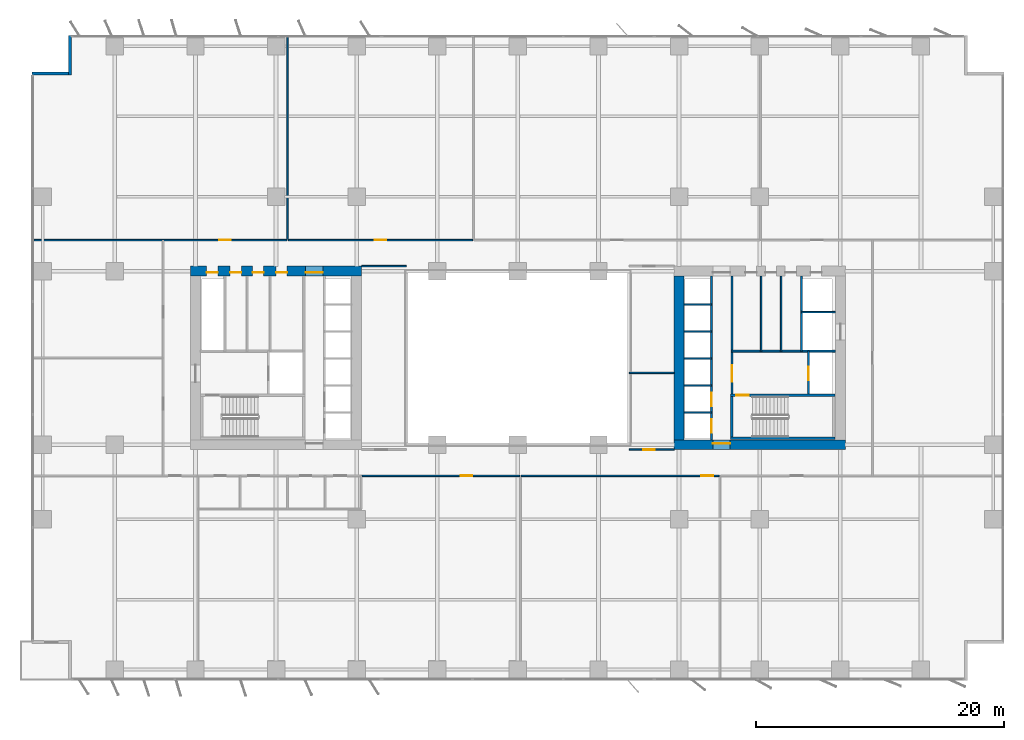
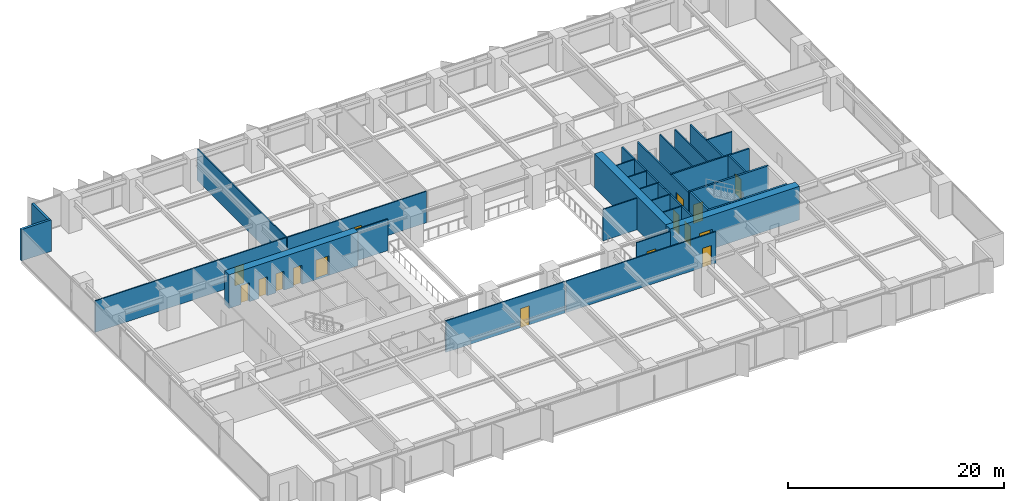
# One storey, part 14 of 21: 29 walls, 16 doors, 16 openings.
"""IFC4 building model written with IfcOpenShell, lengths in metres."""

from ifc_helpers import new_model, si_unit, direction, frame, frame_2d, origin, place, context, subcontext, project, spatial, rectangle, extrude, material, layer, layer_set, type_object, element, fill, save


model = new_model("IFC4")

# Units and contexts
model_context = context("Model", 3, precision=1e-05, world=origin(), true_north=direction((0.0, 1.0)))
body_context = subcontext(model_context, "Body", "Model", "MODEL_VIEW")
ifc_project = project(units=[si_unit("LENGTHUNIT", "METRE"), si_unit("AREAUNIT", "SQUARE_METRE"), si_unit("VOLUMEUNIT", "CUBIC_METRE"), si_unit("PLANEANGLEUNIT", "RADIAN"), si_unit("MASSUNIT", "GRAM", prefix="KILO")], contexts=[model_context])

# Site, building, storey
site_placement = place(None, origin())
site = spatial("IfcSite", under=ifc_project, at=site_placement, CompositionType="ELEMENT")
building_placement = place(site_placement, origin())
building = spatial("IfcBuilding", under=site, at=building_placement, Name="Putna Gate Headquarters", CompositionType="ELEMENT")
storey_placement = place(building_placement, frame((0.0, 0.0, 39.199951171875)))
storey = spatial("IfcBuildingStorey", under=building, at=storey_placement, Name="L08", CompositionType="ELEMENT", Elevation=39.199951171875)

# Wall, openings, doors
ifc_material_1 = material(Name="Concrete C60/75", Category="concrete")
ifc_layer_1 = layer(ifc_material_1, 0.800048828125)
ifc_layer_set_1 = layer_set([ifc_layer_1], Name="Concrete C60/75")
wall_type_1 = type_object("IfcWallType", Name="WALL-CORE-800", PredefinedType="SHEAR", material=ifc_layer_set_1)
wall_1_placement = place(storey_placement, frame((12.60009765625, 33.0, 0.0), z_axis=(0.0, 0.0, 1.0), x_axis=(1.0, 0.0, 0.0)))
wall_1 = element("IfcWall", 1, at=wall_1_placement, inside=storey, type_object=wall_type_1, Name="L08 WC Split Core Shear Wall N", PredefinedType="SHEAR", context=body_context, shape_type="SweptSolid", body=[
    extrude(rectangle(XDim=13.7998046875, YDim=0.800048828125, at=frame_2d((6.89990234375, 0.0))), origin(), (0.0, 0.0, 1.0), 3.800048828125),
])
opening_1_placement = place(wall_1_placement, frame((1.300048828125, 0.0, 0.0)))
opening_1 = element("IfcOpeningElement", 2, at=opening_1_placement, cuts=wall_1, Name="Opening RD-90", PredefinedType="OPENING", context=body_context, shape_type="SweptSolid", body=[
    extrude(rectangle(XDim=0.89990234375, YDim=2.14990234375, at=frame_2d((0.449951171875, 1.074951171875))), frame((0.0, 0.409912109375, 0.0), z_axis=(0.0, -1.0, 0.0), x_axis=(1.0, 0.0, 0.0)), (0.0, 0.0, 1.0), 0.820068359375),
])
opening_2_placement = place(wall_1_placement, frame((3.199951171875, 0.0, 0.0)))
opening_2 = element("IfcOpeningElement", 3, at=opening_2_placement, cuts=wall_1, Name="Opening IDS-90", PredefinedType="OPENING", context=body_context, shape_type="SweptSolid", body=[
    extrude(rectangle(XDim=0.89990234375, YDim=2.14990234375, at=frame_2d((0.449951171875, 1.074951171875))), frame((0.0, 0.409912109375, 0.0), z_axis=(0.0, -1.0, 0.0), x_axis=(1.0, 0.0, 0.0)), (0.0, 0.0, 1.0), 0.820068359375),
])
opening_3_placement = place(wall_1_placement, frame((5.0, 0.0, 0.0)))
opening_3 = element("IfcOpeningElement", 4, at=opening_3_placement, cuts=wall_1, Name="Opening IDS-90", PredefinedType="OPENING", context=body_context, shape_type="SweptSolid", body=[
    extrude(rectangle(XDim=0.89990234375, YDim=2.14990234375, at=frame_2d((0.449951171875, 1.074951171875))), frame((0.0, 0.409912109375, 0.0), z_axis=(0.0, -1.0, 0.0), x_axis=(1.0, 0.0, 0.0)), (0.0, 0.0, 1.0), 0.820068359375),
])
opening_4_placement = place(wall_1_placement, frame((6.89990234375, 0.0, 0.0)))
opening_4 = element("IfcOpeningElement", 5, at=opening_4_placement, cuts=wall_1, Name="Opening IDS-90", PredefinedType="OPENING", context=body_context, shape_type="SweptSolid", body=[
    extrude(rectangle(XDim=0.89990234375, YDim=2.14990234375, at=frame_2d((0.449951171875, 1.074951171875))), frame((0.0, 0.409912109375, 0.0), z_axis=(0.0, -1.0, 0.0), x_axis=(1.0, 0.0, 0.0)), (0.0, 0.0, 1.0), 0.820068359375),
])
opening_5_placement = place(wall_1_placement, frame((9.280029296875, 0.0, 0.0)))
opening_5 = element("IfcOpeningElement", 6, at=opening_5_placement, cuts=wall_1, Name="Opening FDD-140", PredefinedType="OPENING", context=body_context, shape_type="SweptSolid", body=[
    extrude(rectangle(XDim=1.39990234375, YDim=2.199951171875, at=frame_2d((0.699951171875, 1.10009765625))), frame((0.0, 0.409912109375, 0.0), z_axis=(0.0, -1.0, 0.0), x_axis=(1.0, 0.0, 0.0)), (0.0, 0.0, 1.0), 0.820068359375),
])
ifc_material_2 = material(Name="Double steel fire door", Category="steel")
door_type_1 = type_object("IfcDoorType", Name="DOOR-FIRE-DBL-1400", OperationType="DOUBLE_DOOR_SINGLE_SWING", PredefinedType="DOOR", material=ifc_material_2)
door_1_placement = place(opening_5_placement, origin())
door_1 = element("IfcDoor", 7, at=door_1_placement, inside=storey, type_object=door_type_1, Name="L08 West Lift Lobby North Door", OperationType="DOUBLE_DOOR_SINGLE_SWING", OverallHeight=2.199951171875, OverallWidth=1.39990234375, PredefinedType="DOOR", context=body_context, shape_type="SweptSolid", body=[
    extrude(rectangle(XDim=1.39990234375, YDim=2.199951171875, at=frame_2d((0.699951171875, 1.10009765625))), frame((0.0, -0.0751953125, 0.0), z_axis=(0.0, -1.0, 0.0), x_axis=(1.0, 0.0, 0.0)), (0.0, 0.0, 1.0), 0.050048828125),
])
fill(opening_5, door_1)
ifc_material_3 = material(Name="Fire-rated utility door")
door_type_2 = type_object("IfcDoorType", Name="DOOR-INT-900", OperationType="NOTDEFINED", PredefinedType="DOOR", material=ifc_material_3)
door_2_placement = place(opening_2_placement, origin())
door_2 = element("IfcDoor", 8, at=door_2_placement, inside=storey, type_object=door_type_2, Name="L08 Janitor Cupboard Door", OperationType="SINGLE_SWING_LEFT", OverallHeight=2.14990234375, OverallWidth=0.89990234375, PredefinedType="DOOR", context=body_context, shape_type="SweptSolid", body=[
    extrude(rectangle(XDim=0.89990234375, YDim=2.14990234375, at=frame_2d((0.449951171875, 1.074951171875))), frame((0.0, -0.0751953125, 0.0), z_axis=(0.0, -1.0, 0.0), x_axis=(1.0, 0.0, 0.0)), (0.0, 0.0, 1.0), 0.050048828125),
])
fill(opening_2, door_2)
door_3_placement = place(opening_3_placement, origin())
door_3 = element("IfcDoor", 9, at=door_3_placement, inside=storey, type_object=door_type_2, Name="L08 IT Patch Plant Door", OperationType="SINGLE_SWING_RIGHT", OverallHeight=2.14990234375, OverallWidth=0.89990234375, PredefinedType="DOOR", context=body_context, shape_type="SweptSolid", body=[
    extrude(rectangle(XDim=0.89990234375, YDim=2.14990234375, at=frame_2d((0.449951171875, 1.074951171875))), frame((0.0, -0.0751953125, 0.0), z_axis=(0.0, -1.0, 0.0), x_axis=(1.0, 0.0, 0.0)), (0.0, 0.0, 1.0), 0.050048828125),
])
fill(opening_3, door_3)
door_4_placement = place(opening_4_placement, origin())
door_4 = element("IfcDoor", 10, at=door_4_placement, inside=storey, type_object=door_type_2, Name="L08 Building Records Store Door", OperationType="SINGLE_SWING_LEFT", OverallHeight=2.14990234375, OverallWidth=0.89990234375, PredefinedType="DOOR", context=body_context, shape_type="SweptSolid", body=[
    extrude(rectangle(XDim=0.89990234375, YDim=2.14990234375, at=frame_2d((0.449951171875, 1.074951171875))), frame((0.0, -0.0751953125, 0.0), z_axis=(0.0, -1.0, 0.0), x_axis=(1.0, 0.0, 0.0)), (0.0, 0.0, 1.0), 0.050048828125),
])
fill(opening_4, door_4)
ifc_material_4 = material(Name="Steel riser access fire door", Category="steel")
door_type_3 = type_object("IfcDoorType", Name="DOOR-RISER-900", OperationType="NOTDEFINED", PredefinedType="DOOR", material=ifc_material_4)
door_5_placement = place(opening_1_placement, origin())
door_5 = element("IfcDoor", 11, at=door_5_placement, inside=storey, type_object=door_type_3, Name="L08 West Riser Access Door", OperationType="SINGLE_SWING_RIGHT", OverallHeight=2.14990234375, OverallWidth=0.89990234375, PredefinedType="DOOR", context=body_context, shape_type="SweptSolid", body=[
    extrude(rectangle(XDim=0.89990234375, YDim=2.14990234375, at=frame_2d((0.449951171875, 1.074951171875))), frame((0.0, -0.0751953125, 0.0), z_axis=(0.0, -1.0, 0.0), x_axis=(1.0, 0.0, 0.0)), (0.0, 0.0, 1.0), 0.050048828125),
])
fill(opening_1, door_5)

# Wall, opening, door
wall_2_placement = place(storey_placement, frame((51.60009765625, 19.0, 0.0), z_axis=(0.0, 0.0, 1.0), x_axis=(1.0, 0.0, 0.0)))
wall_2 = element("IfcWall", 12, at=wall_2_placement, inside=storey, type_object=wall_type_1, Name="L08 EC Split Core Shear Wall S", PredefinedType="SHEAR", context=body_context, shape_type="SweptSolid", body=[
    extrude(rectangle(XDim=13.7998046875, YDim=0.800048828125, at=frame_2d((6.89990234375, 0.0))), origin(), (0.0, 0.0, 1.0), 3.800048828125),
])
opening_6_placement = place(wall_2_placement, frame((3.1201171875, 0.0, 0.0)))
opening_6 = element("IfcOpeningElement", 13, at=opening_6_placement, cuts=wall_2, Name="Opening FDD-140", PredefinedType="OPENING", context=body_context, shape_type="SweptSolid", body=[
    extrude(rectangle(XDim=1.39990234375, YDim=2.199951171875, at=frame_2d((0.699951171875, 1.10009765625))), frame((0.0, 0.409912109375, 0.0), z_axis=(0.0, -1.0, 0.0), x_axis=(1.0, 0.0, 0.0)), (0.0, 0.0, 1.0), 0.820068359375),
])
door_6_placement = place(opening_6_placement, origin())
door_6 = element("IfcDoor", 14, at=door_6_placement, inside=storey, type_object=door_type_1, Name="L08 East Lift Lobby South Door", OperationType="DOUBLE_DOOR_SINGLE_SWING", OverallHeight=2.199951171875, OverallWidth=1.39990234375, PredefinedType="DOOR", context=body_context, shape_type="SweptSolid", body=[
    extrude(rectangle(XDim=1.39990234375, YDim=2.199951171875, at=frame_2d((0.699951171875, 1.10009765625))), frame((0.0, 0.125, 0.0), z_axis=(0.0, -1.0, 0.0), x_axis=(1.0, 0.0, 0.0)), (0.0, 0.0, 1.0), 0.050048828125),
])
fill(opening_6, door_6)

# Walls
wall_3_placement = place(storey_placement, frame((52.0, 19.39990234375, 0.0), z_axis=(0.0, 0.0, 1.0), x_axis=(0.0, 1.0, 0.0)))
element("IfcWall", 15, at=wall_3_placement, inside=storey, type_object=wall_type_1, Name="L08 EC Split Core Shear Wall W", PredefinedType="SHEAR", context=body_context, shape_type="SweptSolid", body=[
    extrude(rectangle(XDim=13.2001953125, YDim=0.800048828125, at=frame_2d((6.60009765625, 0.0))), origin(), (0.0, 0.0, 1.0), 3.800048828125),
])
ifc_material_5 = material(Name="Precast concrete C40/50", Category="concrete")
ifc_layer_2 = layer(ifc_material_5, 0.239990234375)
ifc_layer_set_2 = layer_set([ifc_layer_2], Name="Precast concrete C40/50")
wall_type_2 = type_object("IfcWallType", Name="WALL-EXT-TERR-240", PredefinedType="STANDARD", material=ifc_layer_set_2)
for number, where, z_axis, x_axis, name in (
    (16, (2.8798828125, 48.800048828125, 0.0), (0.0, 0.0, 1.0), (0.0, 1.0, 0.0), "L08 Corner Notch Return Wall NW-V"),
    (17, (-0.199951171875, 48.919921875, 0.0), (0.0, 0.0, 1.0), (1.0, 0.0, 0.0), "L08 Corner Notch Return Wall NW-H"),
):
    element("IfcWall", number, at=place(storey_placement, frame(where, z_axis=z_axis, x_axis=x_axis)), inside=storey, type_object=wall_type_2, Name=name, PredefinedType="STANDARD", context=body_context, shape_type="SweptSolid", body=[
        extrude(rectangle(XDim=3.199951171875, YDim=0.239990234375, at=frame_2d((1.60009765625, 0.0))), origin(), (0.0, 0.0, 1.0), 3.550048828125),
    ])
ifc_material_6 = material(Name="Acoustic gypsum board on metal stud")
ifc_layer_3 = layer(ifc_material_6, 0.1201171875)
ifc_layer_set_3 = layer_set([ifc_layer_3], Name="Acoustic gypsum board on metal stud")
wall_type_3 = type_object("IfcWallType", Name="WALL-PART-120", PredefinedType="PARTITIONING", material=ifc_layer_set_3)
for number, where, z_axis, x_axis, name in (
    (18, (26.39990234375, 33.39990234375, 0.0), (0.0, 0.0, 1.0), (1.0, 0.0, 0.0), "L08 Interior Wall PART-L08-ATR-W-N"),
    (19, (48.0, 24.800048828125, 0.0), (0.0, 0.0, 1.0), (1.0, 0.0, 0.0), "L08 Interior Wall PART-L08-ATR-E-DIV"),
):
    element("IfcWall", number, at=place(storey_placement, frame(where, z_axis=z_axis, x_axis=x_axis)), inside=storey, type_object=wall_type_3, Name=name, PredefinedType="PARTITIONING", context=body_context, shape_type="SweptSolid", body=[
        extrude(rectangle(XDim=3.60009765625, YDim=0.1201171875, at=frame_2d((1.800048828125, 0.0))), origin(), (0.0, 0.0, 1.0), 3.550048828125),
    ])

# Wall, opening, door
wall_4_placement = place(storey_placement, frame((48.0, 18.60009765625, 0.0), z_axis=(0.0, 0.0, 1.0), x_axis=(1.0, 0.0, 0.0)))
wall_4 = element("IfcWall", 20, at=wall_4_placement, inside=storey, type_object=wall_type_3, Name="L08 Interior Wall PART-L08-ATR-E-S", PredefinedType="PARTITIONING", context=body_context, shape_type="SweptSolid", body=[
    extrude(rectangle(XDim=3.60009765625, YDim=0.1201171875, at=frame_2d((1.800048828125, 0.0))), origin(), (0.0, 0.0, 1.0), 3.550048828125),
])
opening_7_placement = place(wall_4_placement, frame((1.10009765625, 0.0, 0.0)))
opening_7 = element("IfcOpeningElement", 21, at=opening_7_placement, cuts=wall_4, Name="Opening ID-95", PredefinedType="OPENING", context=body_context, shape_type="SweptSolid", body=[
    extrude(rectangle(XDim=0.949951171875, YDim=2.14990234375, at=frame_2d((0.47509765625, 1.074951171875))), frame((0.0, 0.070068359375, 0.0), z_axis=(0.0, -1.0, 0.0), x_axis=(1.0, 0.0, 0.0)), (0.0, 0.0, 1.0), 0.14013671875),
])
ifc_material_7 = material(Name="Veneered acoustic timber door", Category="wood")
door_type_4 = type_object("IfcDoorType", Name="DOOR-OFF-950", OperationType="NOTDEFINED", PredefinedType="DOOR", material=ifc_material_7)
door_7_placement = place(opening_7_placement, origin())
door_7 = element("IfcDoor", 22, at=door_7_placement, inside=storey, type_object=door_type_4, Name="L08 East Atrium South Gallery Door", OperationType="SINGLE_SWING_RIGHT", OverallHeight=2.14990234375, OverallWidth=0.949951171875, PredefinedType="DOOR", context=body_context, shape_type="SweptSolid", body=[
    extrude(rectangle(XDim=0.949951171875, YDim=2.14990234375, at=frame_2d((0.47509765625, 1.074951171875))), frame((0.0, 0.02490234375, 0.0), z_axis=(0.0, -1.0, 0.0), x_axis=(1.0, 0.0, 0.0)), (0.0, 0.0, 1.0), 0.050048828125),
])
fill(opening_7, door_7)

# Walls
wall_5_placement = place(storey_placement, frame((20.426513671875, 35.56005859375, 0.0), z_axis=(0.0, 0.0, 1.0), x_axis=(0.0, 1.0, 0.0)))
element("IfcWall", 23, at=wall_5_placement, inside=storey, type_object=wall_type_3, Name="L08 Interior Wall PART-L08-NB-DIV-01", PredefinedType="PARTITIONING", context=body_context, shape_type="SweptSolid", body=[
    extrude(rectangle(XDim=16.419921875, YDim=0.1201171875, at=frame_2d((8.2099609375, 0.0))), origin(), (0.0, 0.0, 1.0), 3.550048828125),
])
ifc_material_8 = material(Name="Fire-rated shaftwall gypsum board on metal stud")
ifc_layer_4 = layer(ifc_material_8, 0.1201171875)
ifc_layer_set_4 = layer_set([ifc_layer_4], Name="Fire-rated shaftwall gypsum board on metal stud")
wall_type_4 = type_object("IfcWallType", Name="WALL-PART-120-EI120", PredefinedType="PARTITIONING", material=ifc_layer_set_4)
for number, where, z_axis, x_axis, name in (
    (24, (52.39990234375, 21.610107421875, 0.0), (0.0, 0.0, 1.0), (1.0, 0.0, 0.0), "L08 Interior Wall CWINT-L08-EC-LF03-DIV"),
    (25, (52.39990234375, 23.780029296875, 0.0), (0.0, 0.0, 1.0), (1.0, 0.0, 0.0), "L08 Interior Wall CWINT-L08-EC-LF04-DIV"),
    (26, (52.39990234375, 25.949951171875, 0.0), (0.0, 0.0, 1.0), (1.0, 0.0, 0.0), "L08 Interior Wall CWINT-L08-EC-LF07-DIV"),
    (27, (52.39990234375, 28.1201171875, 0.0), (0.0, 0.0, 1.0), (1.0, 0.0, 0.0), "L08 Interior Wall CWINT-L08-EC-LF08-DIV"),
    (28, (52.39990234375, 30.31005859375, 0.0), (0.0, 0.0, 1.0), (1.0, 0.0, 0.0), "L08 Interior Wall CWINT-L08-EC-LF11-DIV"),
):
    element("IfcWall", number, at=place(storey_placement, frame(where, z_axis=z_axis, x_axis=x_axis)), inside=storey, type_object=wall_type_4, Name=name, PredefinedType="PARTITIONING", context=body_context, shape_type="SweptSolid", body=[
        extrude(rectangle(XDim=2.2001953125, YDim=0.1201171875, at=frame_2d((1.10009765625, 0.0))), origin(), (0.0, 0.0, 1.0), 3.550048828125),
    ])
wall_6_placement = place(storey_placement, frame((61.8701171875, 29.699951171875, 0.0), z_axis=(0.0, 0.0, 1.0), x_axis=(1.0, 0.0, 0.0)))
element("IfcWall", 29, at=wall_6_placement, inside=storey, type_object=wall_type_4, Name="L08 Interior Wall CWINT-L08-EC-LF15-N", PredefinedType="PARTITIONING", context=body_context, shape_type="SweptSolid", body=[
    extrude(rectangle(XDim=2.72998046875, YDim=0.1201171875, at=frame_2d((1.364990234375, 0.0))), origin(), (0.0, 0.0, 1.0), 3.550048828125),
])
ifc_material_9 = material(Name="Fire-rated gypsum board on metal stud")
ifc_layer_5 = layer(ifc_material_9, 0.1201171875)
ifc_layer_set_5 = layer_set([ifc_layer_5], Name="Fire-rated gypsum board on metal stud")
wall_type_5 = type_object("IfcWallType", Name="WALL-PART-120-RATED", PredefinedType="PARTITIONING", material=ifc_layer_set_5)
for number, where, z_axis, x_axis, name in (
    (30, (58.6201171875, 26.56005859375, 0.0), (0.0, 0.0, 1.0), (0.0, 1.0, 0.0), "L08 Interior Wall CWINT-L08-EC-K2-D1"),
    (31, (60.219970703125, 26.56005859375, 0.0), (0.0, 0.0, 1.0), (0.0, 1.0, 0.0), "L08 Interior Wall CWINT-L08-EC-K2-D2"),
):
    element("IfcWall", number, at=place(storey_placement, frame(where, z_axis=z_axis, x_axis=x_axis)), inside=storey, type_object=wall_type_5, Name=name, PredefinedType="PARTITIONING", context=body_context, shape_type="SweptSolid", body=[
        extrude(rectangle(XDim=6.0400390625, YDim=0.1201171875, at=frame_2d((3.02001953125, 0.0))), origin(), (0.0, 0.0, 1.0), 3.550048828125),
    ])

# Wall, opening, door
wall_7_placement = place(storey_placement, frame((-0.02001953125, 35.5, 0.0), z_axis=(0.0, 0.0, 1.0), x_axis=(1.0, 0.0, 0.0)))
wall_7 = element("IfcWall", 32, at=wall_7_placement, inside=storey, type_object=wall_type_5, Name="L08 Interior Wall PART-L08-NB-CW-01", PredefinedType="PARTITIONING", context=body_context, shape_type="SweptSolid", body=[
    extrude(rectangle(XDim=20.386474609375, YDim=0.1201171875, at=frame_2d((10.193359375, 0.0))), origin(), (0.0, 0.0, 1.0), 3.550048828125),
])
opening_8_placement = place(wall_7_placement, frame((14.92822265625, 0.0, 0.0)))
opening_8 = element("IfcOpeningElement", 33, at=opening_8_placement, cuts=wall_7, Name="Opening FD-95", PredefinedType="OPENING", context=body_context, shape_type="SweptSolid", body=[
    extrude(rectangle(XDim=0.949951171875, YDim=2.14990234375, at=frame_2d((0.47509765625, 1.074951171875))), frame((0.0, 0.070068359375, 0.0), z_axis=(0.0, -1.0, 0.0), x_axis=(1.0, 0.0, 0.0)), (0.0, 0.0, 1.0), 0.14013671875),
])
ifc_material_10 = material(Name="Acoustic timber fire door", Category="wood")
door_type_5 = type_object("IfcDoorType", Name="DOOR-FIRE-950", OperationType="NOTDEFINED", PredefinedType="DOOR", material=ifc_material_10)
door_8_placement = place(opening_8_placement, origin())
door_8 = element("IfcDoor", 34, at=door_8_placement, inside=storey, type_object=door_type_5, Name="L08 Collaborative Breakout Lounge 1 Door", OperationType="SINGLE_SWING_RIGHT", OverallHeight=2.14990234375, OverallWidth=0.949951171875, PredefinedType="DOOR", context=body_context, shape_type="SweptSolid", body=[
    extrude(rectangle(XDim=0.949951171875, YDim=2.14990234375, at=frame_2d((0.47509765625, 1.074951171875))), frame((0.0, 0.02490234375, 0.0), z_axis=(0.0, -1.0, 0.0), x_axis=(1.0, 0.0, 0.0)), (0.0, 0.0, 1.0), 0.050048828125),
])
fill(opening_8, door_8)

wall_8_placement = place(storey_placement, frame((20.486572265625, 35.5, 0.0), z_axis=(0.0, 0.0, 1.0), x_axis=(1.0, 0.0, 0.0)))
wall_8 = element("IfcWall", 35, at=wall_8_placement, inside=storey, type_object=wall_type_5, Name="L08 Interior Wall PART-L08-NB-CW-02", PredefinedType="PARTITIONING", context=body_context, shape_type="SweptSolid", body=[
    extrude(rectangle(XDim=14.855712890625, YDim=0.1201171875, at=frame_2d((7.427734375, 0.0))), origin(), (0.0, 0.0, 1.0), 3.550048828125),
])
opening_9_placement = place(wall_8_placement, frame((6.952880859375, 0.0, 0.0)))
opening_9 = element("IfcOpeningElement", 36, at=opening_9_placement, cuts=wall_8, Name="Opening FD-95", PredefinedType="OPENING", context=body_context, shape_type="SweptSolid", body=[
    extrude(rectangle(XDim=0.949951171875, YDim=2.14990234375, at=frame_2d((0.47509765625, 1.074951171875))), frame((0.0, 0.070068359375, 0.0), z_axis=(0.0, -1.0, 0.0), x_axis=(1.0, 0.0, 0.0)), (0.0, 0.0, 1.0), 0.14013671875),
])
door_9_placement = place(opening_9_placement, origin())
door_9 = element("IfcDoor", 37, at=door_9_placement, inside=storey, type_object=door_type_5, Name="L08 Cellular Office 1 Door", OperationType="SINGLE_SWING_LEFT", OverallHeight=2.14990234375, OverallWidth=0.949951171875, PredefinedType="DOOR", context=body_context, shape_type="SweptSolid", body=[
    extrude(rectangle(XDim=0.949951171875, YDim=2.14990234375, at=frame_2d((0.47509765625, 1.074951171875))), frame((0.0, 0.02490234375, 0.0), z_axis=(0.0, -1.0, 0.0), x_axis=(1.0, 0.0, 0.0)), (0.0, 0.0, 1.0), 0.050048828125),
])
fill(opening_9, door_9)

wall_9_placement = place(storey_placement, frame((26.419921875, 16.5, 0.0), z_axis=(0.0, 0.0, 1.0), x_axis=(1.0, 0.0, 0.0)))
wall_9 = element("IfcWall", 38, at=wall_9_placement, inside=storey, type_object=wall_type_5, Name="L08 Interior Wall PART-L08-SB-CW-02", PredefinedType="PARTITIONING", context=body_context, shape_type="SweptSolid", body=[
    extrude(rectangle(XDim=12.719970703125, YDim=0.1201171875, at=frame_2d((6.35986328125, 0.0))), origin(), (0.0, 0.0, 1.0), 3.550048828125),
])
opening_10_placement = place(wall_9_placement, frame((7.9541015625, 0.0, 0.0)))
opening_10 = element("IfcOpeningElement", 39, at=opening_10_placement, cuts=wall_9, Name="Opening FD-95", PredefinedType="OPENING", context=body_context, shape_type="SweptSolid", body=[
    extrude(rectangle(XDim=0.949951171875, YDim=2.14990234375, at=frame_2d((0.47509765625, 1.074951171875))), frame((0.0, 0.070068359375, 0.0), z_axis=(0.0, -1.0, 0.0), x_axis=(1.0, 0.0, 0.0)), (0.0, 0.0, 1.0), 0.14013671875),
])
door_10_placement = place(opening_10_placement, origin())
door_10 = element("IfcDoor", 40, at=door_10_placement, inside=storey, type_object=door_type_5, Name="L08 Primary Open Office Workplace Door", OperationType="SINGLE_SWING_LEFT", OverallHeight=2.14990234375, OverallWidth=0.949951171875, PredefinedType="DOOR", context=body_context, shape_type="SweptSolid", body=[
    extrude(rectangle(XDim=0.949951171875, YDim=2.14990234375, at=frame_2d((0.47509765625, 1.074951171875))), frame((0.0, 0.02490234375, 0.0), z_axis=(0.0, -1.0, 0.0), x_axis=(1.0, 0.0, 0.0)), (0.0, 0.0, 1.0), 0.050048828125),
])
fill(opening_10, door_10)

wall_10_placement = place(storey_placement, frame((39.260009765625, 16.5, 0.0), z_axis=(0.0, 0.0, 1.0), x_axis=(1.0, 0.0, 0.0)))
wall_10 = element("IfcWall", 41, at=wall_10_placement, inside=storey, type_object=wall_type_5, Name="L08 Interior Wall PART-L08-SB-CW-03", PredefinedType="PARTITIONING", context=body_context, shape_type="SweptSolid", body=[
    extrude(rectangle(XDim=15.97607421875, YDim=0.1201171875, at=frame_2d((7.988037109375, 0.0))), origin(), (0.0, 0.0, 1.0), 3.550048828125),
])
opening_11_placement = place(wall_10_placement, frame((14.546142578125, 0.0, 0.0)))
opening_11 = element("IfcOpeningElement", 42, at=opening_11_placement, cuts=wall_10, Name="Opening FD-95", PredefinedType="OPENING", context=body_context, shape_type="SweptSolid", body=[
    extrude(rectangle(XDim=0.949951171875, YDim=2.14990234375, at=frame_2d((0.47509765625, 1.074951171875))), frame((0.0, 0.070068359375, 0.0), z_axis=(0.0, -1.0, 0.0), x_axis=(1.0, 0.0, 0.0)), (0.0, 0.0, 1.0), 0.14013671875),
])
door_11_placement = place(opening_11_placement, origin())
door_11 = element("IfcDoor", 43, at=door_11_placement, inside=storey, type_object=door_type_5, Name="L08 Conference Meeting Room 1 Door", OperationType="SINGLE_SWING_RIGHT", OverallHeight=2.14990234375, OverallWidth=0.949951171875, PredefinedType="DOOR", context=body_context, shape_type="SweptSolid", body=[
    extrude(rectangle(XDim=0.949951171875, YDim=2.14990234375, at=frame_2d((0.47509765625, 1.074951171875))), frame((0.0, 0.02490234375, 0.0), z_axis=(0.0, -1.0, 0.0), x_axis=(1.0, 0.0, 0.0)), (0.0, 0.0, 1.0), 0.050048828125),
])
fill(opening_11, door_11)

# Wall, openings, doors
ifc_material_11 = material(Name="Concrete C40/50", Category="concrete")
ifc_layer_6 = layer(ifc_material_11, 0.159912109375)
ifc_layer_set_6 = layer_set([ifc_layer_6], Name="Concrete C40/50")
wall_type_6 = type_object("IfcWallType", Name="WALL-SHAFT-160", PredefinedType="STANDARD", material=ifc_layer_set_6)
wall_11_placement = place(storey_placement, frame((54.60009765625, 19.39990234375, 0.0), z_axis=(0.0, 0.0, 1.0), x_axis=(0.0, 1.0, 0.0)))
wall_11 = element("IfcWall", 44, at=wall_11_placement, inside=storey, type_object=wall_type_6, Name="L08 Interior Wall CWINT-L08-EC-PL-WALL", PredefinedType="STANDARD", context=body_context, shape_type="SweptSolid", body=[
    extrude(rectangle(XDim=13.2001953125, YDim=0.159912109375, at=frame_2d((6.60009765625, 0.0))), origin(), (0.0, 0.0, 1.0), 3.550048828125),
])
opening_12_placement = place(wall_11_placement, frame((0.550048828125, 0.0, 0.0)))
opening_12 = element("IfcOpeningElement", 45, at=opening_12_placement, cuts=wall_11, Name="Opening LD-1", PredefinedType="OPENING", context=body_context, shape_type="SweptSolid", body=[
    extrude(rectangle(XDim=1.10009765625, YDim=2.199951171875, at=frame_2d((0.550048828125, 1.10009765625))), frame((0.0, 0.08984375, 0.0), z_axis=(0.0, -1.0, 0.0), x_axis=(1.0, 0.0, 0.0)), (0.0, 0.0, 1.0), 0.179931640625),
])
opening_13_placement = place(wall_11_placement, frame((2.699951171875, 0.0, 0.0)))
opening_13 = element("IfcOpeningElement", 46, at=opening_13_placement, cuts=wall_11, Name="Opening LD-1", PredefinedType="OPENING", context=body_context, shape_type="SweptSolid", body=[
    extrude(rectangle(XDim=1.10009765625, YDim=2.199951171875, at=frame_2d((0.550048828125, 1.10009765625))), frame((0.0, 0.08984375, 0.0), z_axis=(0.0, -1.0, 0.0), x_axis=(1.0, 0.0, 0.0)), (0.0, 0.0, 1.0), 0.179931640625),
])
ifc_material_12 = material(Name="Brushed bronze stainless lift landing door")
door_type_6 = type_object("IfcDoorType", Name="DOOR-LIFT-1100", OperationType="DOUBLE_DOOR_SLIDING", PredefinedType="DOOR", material=ifc_material_12)
door_12_placement = place(opening_12_placement, origin())
door_12 = element("IfcDoor", 47, at=door_12_placement, inside=storey, type_object=door_type_6, Name="L08 Lift Landing Door LD-03", OperationType="DOUBLE_DOOR_SLIDING", OverallHeight=2.199951171875, OverallWidth=1.10009765625, PredefinedType="DOOR", context=body_context, shape_type="SweptSolid", body=[
    extrude(rectangle(XDim=1.10009765625, YDim=2.199951171875, at=frame_2d((0.550048828125, 1.10009765625))), frame((0.0, 0.02490234375, 0.0), z_axis=(0.0, -1.0, 0.0), x_axis=(1.0, 0.0, 0.0)), (0.0, 0.0, 1.0), 0.050048828125),
])
fill(opening_12, door_12)
door_13_placement = place(opening_13_placement, origin())
door_13 = element("IfcDoor", 48, at=door_13_placement, inside=storey, type_object=door_type_6, Name="L08 Lift Landing Door LD-04", OperationType="DOUBLE_DOOR_SLIDING", OverallHeight=2.199951171875, OverallWidth=1.10009765625, PredefinedType="DOOR", context=body_context, shape_type="SweptSolid", body=[
    extrude(rectangle(XDim=1.10009765625, YDim=2.199951171875, at=frame_2d((0.550048828125, 1.10009765625))), frame((0.0, 0.02490234375, 0.0), z_axis=(0.0, -1.0, 0.0), x_axis=(1.0, 0.0, 0.0)), (0.0, 0.0, 1.0), 0.050048828125),
])
fill(opening_13, door_13)

# Wall, opening, door
wall_12_placement = place(storey_placement, frame((56.260009765625, 23.090087890625, 0.0), z_axis=(0.0, 0.0, 1.0), x_axis=(0.0, 1.0, 0.0)))
wall_12 = element("IfcWall", 49, at=wall_12_placement, inside=storey, type_object=wall_type_6, Name="L08 Interior Wall CWINT-L08-EC-LOB-E", PredefinedType="STANDARD", context=body_context, shape_type="SweptSolid", body=[
    extrude(rectangle(XDim=9.510009765625, YDim=0.159912109375, at=frame_2d((4.7548828125, 0.0))), origin(), (0.0, 0.0, 1.0), 3.550048828125),
])
opening_14_placement = place(wall_12_placement, frame((1.010009765625, 0.0, 0.0)))
opening_14 = element("IfcOpeningElement", 50, at=opening_14_placement, cuts=wall_12, Name="Opening FDD-130", PredefinedType="OPENING", context=body_context, shape_type="SweptSolid", body=[
    extrude(rectangle(XDim=1.300048828125, YDim=2.199951171875, at=frame_2d((0.64990234375, 1.10009765625))), frame((0.0, 0.08984375, 0.0), z_axis=(0.0, -1.0, 0.0), x_axis=(1.0, 0.0, 0.0)), (0.0, 0.0, 1.0), 0.179931640625),
])
ifc_material_13 = material(Name="Double steel lobby fire door", Category="steel")
door_type_7 = type_object("IfcDoorType", Name="DOOR-FIRE-DBL-1300", OperationType="DOUBLE_DOOR_SINGLE_SWING", PredefinedType="DOOR", material=ifc_material_13)
door_14_placement = place(opening_14_placement, origin())
door_14 = element("IfcDoor", 51, at=door_14_placement, inside=storey, type_object=door_type_7, Name="L08 East Firefighting Lobby Door", OperationType="DOUBLE_DOOR_SINGLE_SWING", OverallHeight=2.199951171875, OverallWidth=1.300048828125, PredefinedType="DOOR", context=body_context, shape_type="SweptSolid", body=[
    extrude(rectangle(XDim=1.300048828125, YDim=2.199951171875, at=frame_2d((0.64990234375, 1.10009765625))), frame((0.0, 0.02490234375, 0.0), z_axis=(0.0, -1.0, 0.0), x_axis=(1.0, 0.0, 0.0)), (0.0, 0.0, 1.0), 0.050048828125),
])
fill(opening_14, door_14)

wall_13_placement = place(storey_placement, frame((62.429931640625, 23.090087890625, 0.0), z_axis=(0.0, 0.0, 1.0), x_axis=(0.0, 1.0, 0.0)))
wall_13 = element("IfcWall", 52, at=wall_13_placement, inside=storey, type_object=wall_type_6, Name="L08 Interior Wall CWINT-L08-EC-LF14-W", PredefinedType="STANDARD", context=body_context, shape_type="SweptSolid", body=[
    extrude(rectangle(XDim=3.469970703125, YDim=0.159912109375, at=frame_2d((1.73486328125, 0.0))), origin(), (0.0, 0.0, 1.0), 3.550048828125),
])
opening_15_placement = place(wall_13_placement, frame((1.10009765625, 0.0, 0.0)))
opening_15 = element("IfcOpeningElement", 53, at=opening_15_placement, cuts=wall_13, Name="Opening LD-1", PredefinedType="OPENING", context=body_context, shape_type="SweptSolid", body=[
    extrude(rectangle(XDim=1.10009765625, YDim=2.199951171875, at=frame_2d((0.550048828125, 1.10009765625))), frame((0.0, 0.08984375, 0.0), z_axis=(0.0, -1.0, 0.0), x_axis=(1.0, 0.0, 0.0)), (0.0, 0.0, 1.0), 0.179931640625),
])
door_15_placement = place(opening_15_placement, origin())
door_15 = element("IfcDoor", 54, at=door_15_placement, inside=storey, type_object=door_type_6, Name="L08 Lift Landing Door LD-14", OperationType="DOUBLE_DOOR_SLIDING", OverallHeight=2.199951171875, OverallWidth=1.10009765625, PredefinedType="DOOR", context=body_context, shape_type="SweptSolid", body=[
    extrude(rectangle(XDim=1.10009765625, YDim=2.199951171875, at=frame_2d((0.550048828125, 1.10009765625))), frame((0.0, 0.02490234375, 0.0), z_axis=(0.0, -1.0, 0.0), x_axis=(1.0, 0.0, 0.0)), (0.0, 0.0, 1.0), 0.050048828125),
])
fill(opening_15, door_15)

# Walls
wall_14_placement = place(storey_placement, frame((56.260009765625, 26.56005859375, 0.0), z_axis=(0.0, 0.0, 1.0), x_axis=(1.0, 0.0, 0.0)))
element("IfcWall", 55, at=wall_14_placement, inside=storey, type_object=wall_type_6, Name="L08 Interior Wall CWINT-L08-EC-FFL-N", PredefinedType="STANDARD", context=body_context, shape_type="SweptSolid", body=[
    extrude(rectangle(XDim=8.340087890625, YDim=0.159912109375, at=frame_2d((4.169921875, 0.0))), origin(), (0.0, 0.0, 1.0), 3.550048828125),
])
wall_15_placement = place(storey_placement, frame((61.8701171875, 26.56005859375, 0.0), z_axis=(0.0, 0.0, 1.0), x_axis=(0.0, 1.0, 0.0)))
element("IfcWall", 56, at=wall_15_placement, inside=storey, type_object=wall_type_6, Name="L08 Interior Wall CWINT-L08-EC-LF15-W", PredefinedType="STANDARD", context=body_context, shape_type="SweptSolid", body=[
    extrude(rectangle(XDim=6.0400390625, YDim=0.159912109375, at=frame_2d((3.02001953125, 0.0))), origin(), (0.0, 0.0, 1.0), 3.550048828125),
])
ifc_layer_7 = layer(ifc_material_11, 0.199951171875)
ifc_layer_set_7 = layer_set([ifc_layer_7], Name="Concrete C40/50")
wall_type_7 = type_object("IfcWallType", Name="WALL-SHAFT-RC200", PredefinedType="SHEAR", material=ifc_layer_set_7)
wall_16_placement = place(storey_placement, frame((56.159912109375, 19.510009765625, 0.0), z_axis=(0.0, 0.0, 1.0), x_axis=(1.0, 0.0, 0.0)))
element("IfcWall", 57, at=wall_16_placement, inside=storey, type_object=wall_type_7, Name="L08 Stair ST2 Structural Shaft Wall S", PredefinedType="SHEAR", context=body_context, shape_type="SweptSolid", body=[
    extrude(rectangle(XDim=8.43017578125, YDim=0.199951171875, at=frame_2d((4.215087890625, 0.0))), origin(), (0.0, 0.0, 1.0), 3.800048828125),
])

# Wall, opening, door
wall_17_placement = place(storey_placement, frame((56.159912109375, 22.989990234375, 0.0), z_axis=(0.0, 0.0, 1.0), x_axis=(1.0, 0.0, 0.0)))
wall_17 = element("IfcWall", 58, at=wall_17_placement, inside=storey, type_object=wall_type_7, Name="L08 Stair ST2 Structural Shaft Wall N", PredefinedType="SHEAR", context=body_context, shape_type="SweptSolid", body=[
    extrude(rectangle(XDim=8.43017578125, YDim=0.199951171875, at=frame_2d((4.215087890625, 0.0))), origin(), (0.0, 0.0, 1.0), 3.800048828125),
])
opening_16_placement = place(wall_17_placement, frame((0.449951171875, 0.0, 0.0)))
opening_16 = element("IfcOpeningElement", 59, at=opening_16_placement, cuts=wall_17, Name="Opening FD-100", PredefinedType="OPENING", context=body_context, shape_type="SweptSolid", body=[
    extrude(rectangle(XDim=1.0, YDim=2.14990234375, at=frame_2d((0.5, 1.074951171875))), frame((0.0, 0.10986328125, 0.0), z_axis=(0.0, -1.0, 0.0), x_axis=(1.0, 0.0, 0.0)), (0.0, 0.0, 1.0), 0.219970703125),
])
ifc_material_14 = material(Name="Powder-coated steel fire door", Category="steel")
door_type_8 = type_object("IfcDoorType", Name="DOOR-FIRE-1000", OperationType="NOTDEFINED", PredefinedType="DOOR", material=ifc_material_14)
door_16_placement = place(opening_16_placement, origin())
door_16 = element("IfcDoor", 60, at=door_16_placement, inside=storey, type_object=door_type_8, Name="L08 Stair ST2 Fire Door", OperationType="SINGLE_SWING_RIGHT", OverallHeight=2.14990234375, OverallWidth=1.0, PredefinedType="DOOR", context=body_context, shape_type="SweptSolid", body=[
    extrude(rectangle(XDim=1.0, YDim=2.14990234375, at=frame_2d((0.5, 1.074951171875))), frame((0.0, 0.02490234375, 0.0), z_axis=(0.0, -1.0, 0.0), x_axis=(1.0, 0.0, 0.0)), (0.0, 0.0, 1.0), 0.050048828125),
])
fill(opening_16, door_16)

# Wall
wall_18_placement = place(storey_placement, frame((56.260009765625, 19.610107421875, 0.0), z_axis=(0.0, 0.0, 1.0), x_axis=(0.0, 1.0, 0.0)))
element("IfcWall", 61, at=wall_18_placement, inside=storey, type_object=wall_type_7, Name="L08 Stair ST2 Structural Shaft Wall W", PredefinedType="SHEAR", context=body_context, shape_type="SweptSolid", body=[
    extrude(rectangle(XDim=3.27978515625, YDim=0.199951171875, at=frame_2d((1.639892578125, 0.0))), origin(), (0.0, 0.0, 1.0), 3.800048828125),
])

save(model, "model.ifc")
